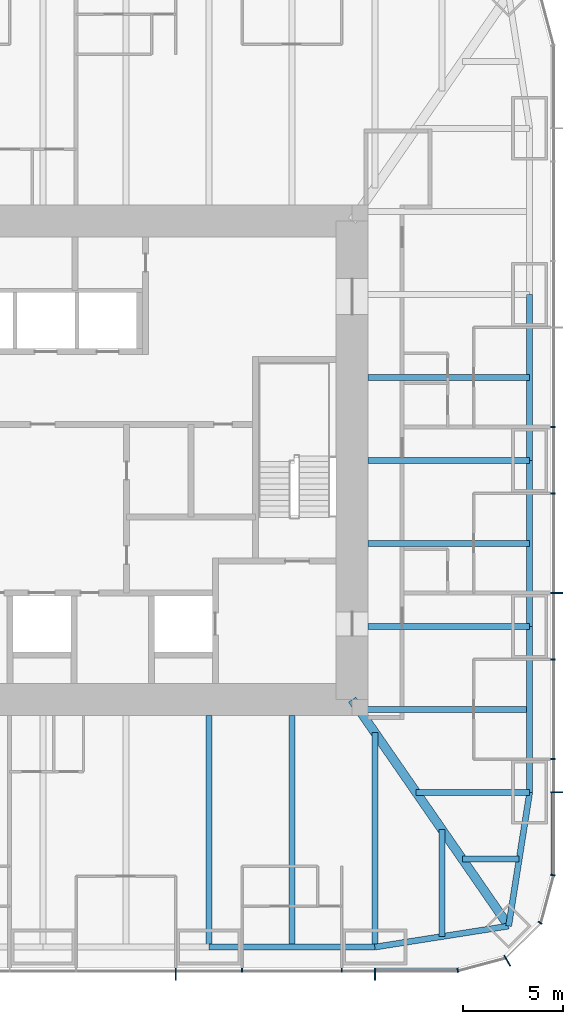
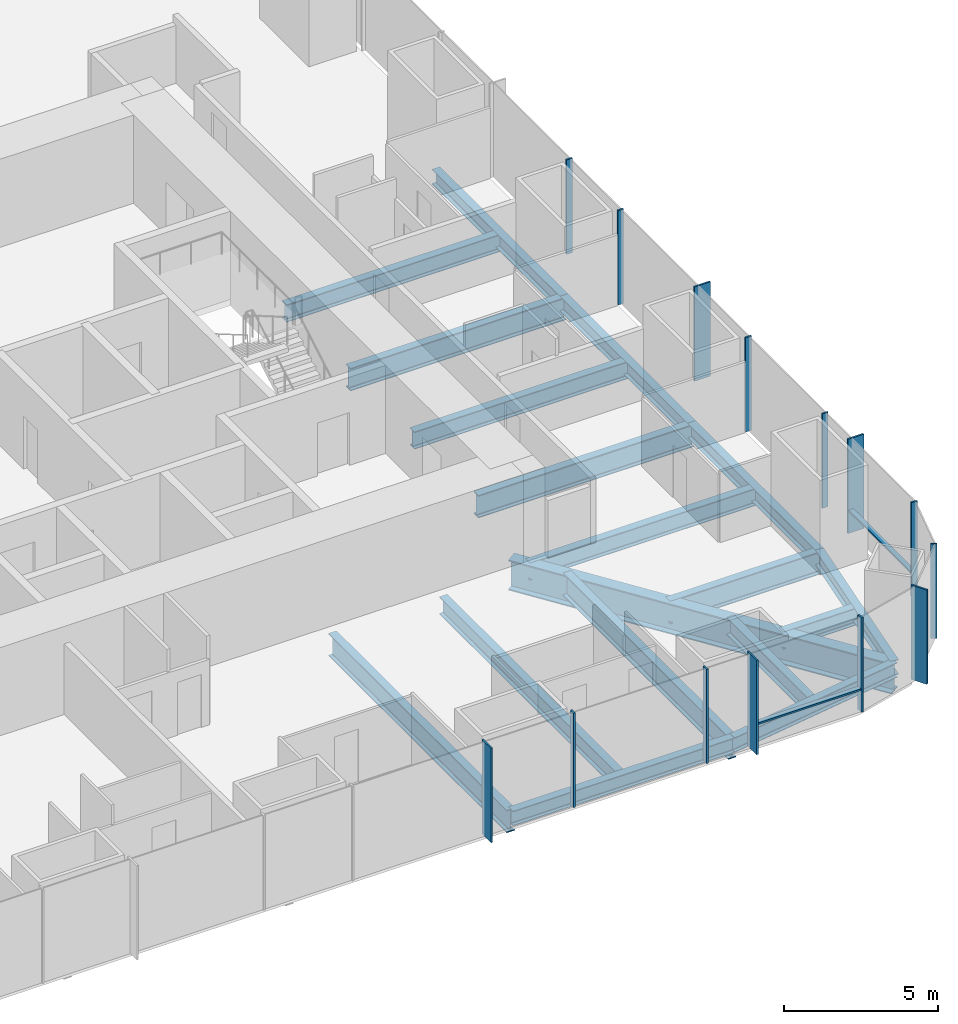
# One storey, part 4 of 13: 18 beams, 16 members, 3 elements without a shape of their own.
"""IFC4 building model written with IfcOpenShell, lengths in metres."""

from ifc_helpers import new_model, si_unit, direction, frame, origin, origin_2d, place, context, subcontext, project, spatial, rectangle, i_section, extrude, material, material_profile, profile_set, type_object, element, aggregate, save


model = new_model("IFC4")

# Units and contexts
model_context = context("Model", 3, precision=1e-05, world=origin(), true_north=direction((0.0, 1.0)))
body_context = subcontext(model_context, "Body", "Model", "MODEL_VIEW")
ifc_project = project(units=[si_unit("LENGTHUNIT", "METRE"), si_unit("AREAUNIT", "SQUARE_METRE"), si_unit("VOLUMEUNIT", "CUBIC_METRE"), si_unit("PLANEANGLEUNIT", "RADIAN"), si_unit("MASSUNIT", "GRAM", prefix="KILO")], contexts=[model_context])

# Site, building, storey
site_placement = place(None, origin())
site = spatial("IfcSite", under=ifc_project, at=site_placement, CompositionType="ELEMENT")
building_placement = place(site_placement, origin())
building = spatial("IfcBuilding", under=site, at=building_placement, Name="Khuree Lantern Residences", CompositionType="ELEMENT")
storey_placement = place(building_placement, frame((0.0, 0.0, 270.75)))
storey = spatial("IfcBuildingStorey", under=building, at=storey_placement, Name="L68", CompositionType="ELEMENT", Elevation=270.75)

# Beams
ifc_material_1 = material(Name="Steel S355", Category="steel")
ifc_material_profile_1 = material_profile(ifc_material_1, i_section(OverallWidth=0.300048828125, OverallDepth=0.68994140625, WebThickness=0.014404296875, FlangeThickness=0.027099609375, FilletRadius=0.027099609375, at=origin_2d()), Name="HE 700 A")
ifc_profile_set_1 = profile_set([ifc_material_profile_1], Name="Steel S355")
beam_type_1 = type_object("IfcBeamType", Name="B-35 SECONDARY BEAM HE 700 A", PredefinedType="BEAM", material=ifc_profile_set_1)
for number, where, z_axis, x_axis, name in (
    (1, (24.39990234375, 4.159912109375, -0.594970703125), (-1.0, 0.0, 0.0), (0.0, -1.0, 0.0), "Secondary beam E3"),
    (2, (24.39990234375, -4.159912109375, -0.594970703125), (-1.0, 0.0, 0.0), (0.0, -1.0, 0.0), "Secondary beam E4"),
):
    element("IfcBeam", number, at=place(storey_placement, frame(where, z_axis=z_axis, x_axis=x_axis)), inside=storey, type_object=beam_type_1, Name=name, PredefinedType="BEAM", context=body_context, shape_type="SweptSolid", body=[
        extrude(i_section(OverallWidth=0.300048828125, OverallDepth=0.68994140625, WebThickness=0.014404296875, FlangeThickness=0.027099609375, FilletRadius=0.027099609375, at=origin_2d()), origin(), (0.0, 0.0, 1.0), 8.099853515625),
    ])
beam_1_placement = place(storey_placement, frame((24.39990234375, -12.47998046875, -0.594970703125), z_axis=(-1.0, 0.0, 0.0), x_axis=(0.0, -1.0, 0.0)))
element("IfcBeam", 3, at=beam_1_placement, inside=storey, type_object=beam_type_1, Name="Secondary beam E5", PredefinedType="BEAM", context=body_context, shape_type="SweptSolid", body=[
    extrude(i_section(OverallWidth=0.300048828125, OverallDepth=0.68994140625, WebThickness=0.014404296875, FlangeThickness=0.027099609375, FilletRadius=0.027099609375, at=origin_2d()), origin(), (0.0, 0.0, 1.0), 8.56787109375),
])
beam_2_placement = place(storey_placement, frame((23.872802734375, -19.992919921875, -0.594970703125), z_axis=(-1.0, 0.0, 0.0), x_axis=(0.0, -1.0, 0.0)))
element("IfcBeam", 4, at=beam_2_placement, inside=storey, type_object=beam_type_1, Name="Secondary beam E6", PredefinedType="BEAM", context=body_context, shape_type="SweptSolid", body=[
    extrude(i_section(OverallWidth=0.300048828125, OverallDepth=0.68994140625, WebThickness=0.014404296875, FlangeThickness=0.027099609375, FilletRadius=0.027099609375, at=origin_2d()), origin(), (0.0, 0.0, 1.0), 2.845703125),
])
beam_3_placement = place(storey_placement, frame((19.992919921875, -23.872802734375, -0.594970703125), z_axis=(0.0, 1.0, 0.0), x_axis=(-1.0, 0.0, 0.0)))
element("IfcBeam", 5, at=beam_3_placement, inside=storey, type_object=beam_type_1, Name="Secondary beam S1", PredefinedType="BEAM", context=body_context, shape_type="SweptSolid", body=[
    extrude(i_section(OverallWidth=0.300048828125, OverallDepth=0.68994140625, WebThickness=0.014404296875, FlangeThickness=0.027099609375, FilletRadius=0.027099609375, at=origin_2d()), origin(), (0.0, 0.0, 1.0), 5.375732421875),
])
beam_4_placement = place(storey_placement, frame((12.47998046875, -24.39990234375, -0.594970703125), z_axis=(0.0, 1.0, 0.0), x_axis=(-1.0, 0.0, 0.0)))
element("IfcBeam", 6, at=beam_4_placement, inside=storey, type_object=beam_type_1, Name="Secondary beam S2", PredefinedType="BEAM", context=body_context, shape_type="SweptSolid", body=[
    extrude(i_section(OverallWidth=0.300048828125, OverallDepth=0.68994140625, WebThickness=0.014404296875, FlangeThickness=0.027099609375, FilletRadius=0.027099609375, at=origin_2d()), origin(), (0.0, 0.0, 1.0), 11.599853515625),
])
ifc_material_profile_2 = material_profile(ifc_material_1, i_section(OverallWidth=0.300048828125, OverallDepth=0.590087890625, WebThickness=0.012939453125, FlangeThickness=0.02490234375, FilletRadius=0.027099609375, at=origin_2d()), Name="HE 600 A")
ifc_profile_set_2 = profile_set([ifc_material_profile_2], Name="Steel S355")
beam_type_2 = type_object("IfcBeamType", Name="E-35 SPANDREL BEAM HE 600 A", PredefinedType="SPANDREL", material=ifc_profile_set_2)
for number, where, z_axis, x_axis, name in (
    (7, (24.39990234375, 8.320068359375, -0.544921875), (0.0, -1.0, 0.0), (1.0, 0.0, 0.0), "Spandrel beam E3"),
    (8, (24.39990234375, 0.0, -0.544921875), (0.0, -1.0, 0.0), (1.0, 0.0, 0.0), "Spandrel beam E4"),
):
    element("IfcBeam", number, at=place(storey_placement, frame(where, z_axis=z_axis, x_axis=x_axis)), inside=storey, type_object=beam_type_2, Name=name, PredefinedType="SPANDREL", context=body_context, shape_type="SweptSolid", body=[
        extrude(i_section(OverallWidth=0.300048828125, OverallDepth=0.590087890625, WebThickness=0.012939453125, FlangeThickness=0.02490234375, FilletRadius=0.027099609375, at=origin_2d()), origin(), (0.0, 0.0, 1.0), 8.320068359375),
    ])
beam_5_placement = place(storey_placement, frame((24.39990234375, -8.320068359375, -0.544921875), z_axis=(0.0, -1.0, 0.0), x_axis=(1.0, 0.0, 0.0)))
element("IfcBeam", 9, at=beam_5_placement, inside=storey, type_object=beam_type_2, Name="Spandrel beam E5", PredefinedType="SPANDREL", context=body_context, shape_type="SweptSolid", body=[
    extrude(i_section(OverallWidth=0.300048828125, OverallDepth=0.590087890625, WebThickness=0.012939453125, FlangeThickness=0.02490234375, FilletRadius=0.027099609375, at=origin_2d()), origin(), (0.0, 0.0, 1.0), 8.31982421875),
])
for number, where, z_axis, x_axis, name in (
    (10, (24.39990234375, -16.639892578125, -0.544921875), (-0.155299507442, -0.98786743189, 0.0), (0.98786743189, -0.155299507442, 0.0), "Spandrel beam E6"),
    (11, (23.345703125, -23.345703125, -0.544921875), (-0.98786743189, -0.155299507442, 0.0), (0.155299507442, -0.98786743189, 0.0), "Spandrel beam S1"),
):
    element("IfcBeam", number, at=place(storey_placement, frame(where, z_axis=z_axis, x_axis=x_axis)), inside=storey, type_object=beam_type_2, Name=name, PredefinedType="SPANDREL", context=body_context, shape_type="SweptSolid", body=[
        extrude(i_section(OverallWidth=0.300048828125, OverallDepth=0.590087890625, WebThickness=0.012939453125, FlangeThickness=0.02490234375, FilletRadius=0.027099609375, at=origin_2d()), origin(), (0.0, 0.0, 1.0), 6.7880859375),
    ])
beam_6_placement = place(storey_placement, frame((16.639892578125, -24.39990234375, -0.544921875), z_axis=(-1.0, 0.0, 0.0), x_axis=(0.0, -1.0, 0.0)))
element("IfcBeam", 12, at=beam_6_placement, inside=storey, type_object=beam_type_2, Name="Spandrel beam S2", PredefinedType="SPANDREL", context=body_context, shape_type="SweptSolid", body=[
    extrude(i_section(OverallWidth=0.300048828125, OverallDepth=0.590087890625, WebThickness=0.012939453125, FlangeThickness=0.02490234375, FilletRadius=0.027099609375, at=origin_2d()), origin(), (0.0, 0.0, 1.0), 8.31982421875),
])

# Curtain wall, member
ifc_material_2 = material(Name="Bronze anodised aluminium", Category="aluminium")
curtain_wall_type_1 = type_object("IfcCurtainWallType", Name="CW-T2 TOWER CORNER CURTAIN WALL", PredefinedType="USERDEFINED", material=ifc_material_2)
curtain_wall_1_placement = place(storey_placement, origin())
curtain_wall_1 = element("IfcCurtainWall", 13, at=curtain_wall_1_placement, inside=storey, type_object=curtain_wall_type_1, Name="L68 SOUTH-EAST CORNER CURTAIN WALL", ObjectType="Faceted corner curtain wall", PredefinedType="USERDEFINED")
ifc_material_profile_3 = material_profile(ifc_material_2, rectangle(XDim=0.06494140625, YDim=0.60009765625, at=origin_2d()), Name="F1 65X600")
ifc_profile_set_3 = profile_set([ifc_material_profile_3], Name="Bronze anodised aluminium")
member_type_1 = type_object("IfcMemberType", Name="F1 BRONZE FIN MULLION TOWER 65X600", PredefinedType="MULLION", material=ifc_profile_set_3)
member_1_placement = place(storey_placement, frame((23.27490234375, -25.0869140625, 0.0), z_axis=(0.0, 0.0, 1.0), x_axis=(0.866025409797, 0.499999989586, 0.0)))
member_1 = element("IfcMember", 14, at=member_1_placement, type_object=member_type_1, Name="L68 SOUTH-EAST CORNER FIN MULLION 2", PredefinedType="MULLION", context=body_context, shape_type="SweptSolid", body=[
    extrude(rectangle(XDim=0.06494140625, YDim=0.60009765625, at=origin_2d()), origin(), (0.0, 0.0, 1.0), 3.75),
])

# Curtain wall, members
curtain_wall_type_2 = type_object("IfcCurtainWallType", Name="CW-T1 TOWER FACE CURTAIN WALL", PredefinedType="USERDEFINED", material=ifc_material_2)
curtain_wall_2_placement = place(storey_placement, origin())
curtain_wall_2 = element("IfcCurtainWall", 15, at=curtain_wall_2_placement, inside=storey, type_object=curtain_wall_type_2, Name="L68 EAST FACE CURTAIN WALL", ObjectType="Stick-built curtain wall", PredefinedType="USERDEFINED")
member_2_placement = place(storey_placement, frame((25.75, -16.639892578125, 0.0), z_axis=(0.0, 0.0, 1.0), x_axis=(0.0, 1.0, 0.0)))
member_2 = element("IfcMember", 16, at=member_2_placement, type_object=member_type_1, Name="L68 EAST FACE FIN MULLION 5", PredefinedType="MULLION", context=body_context, shape_type="SweptSolid", body=[
    extrude(rectangle(XDim=0.06494140625, YDim=0.60009765625, at=origin_2d()), origin(), (0.0, 0.0, 1.0), 3.75),
])
member_3_placement = place(storey_placement, frame((25.75, -6.656005859375, 0.0), z_axis=(0.0, 0.0, 1.0), x_axis=(0.0, 1.0, 0.0)))
member_3 = element("IfcMember", 17, at=member_3_placement, type_object=member_type_1, Name="L68 EAST FACE FIN MULLION 8", PredefinedType="MULLION", context=body_context, shape_type="SweptSolid", body=[
    extrude(rectangle(XDim=0.06494140625, YDim=0.60009765625, at=origin_2d()), origin(), (0.0, 0.0, 1.0), 3.75),
])

curtain_wall_3_placement = place(storey_placement, origin())
curtain_wall_3 = element("IfcCurtainWall", 18, at=curtain_wall_3_placement, inside=storey, type_object=curtain_wall_type_2, Name="L68 SOUTH FACE CURTAIN WALL", ObjectType="Stick-built curtain wall", PredefinedType="USERDEFINED")
member_4_placement = place(storey_placement, frame((6.656005859375, -25.75, 0.0), z_axis=(0.0, 0.0, 1.0), x_axis=(1.0, 0.0, 0.0)))
member_4 = element("IfcMember", 19, at=member_4_placement, type_object=member_type_1, Name="L68 SOUTH FACE FIN MULLION 53", PredefinedType="MULLION", context=body_context, shape_type="SweptSolid", body=[
    extrude(rectangle(XDim=0.06494140625, YDim=0.60009765625, at=origin_2d()), origin(), (0.0, 0.0, 1.0), 3.75),
])
member_5_placement = place(storey_placement, frame((16.639892578125, -25.75, 0.0), z_axis=(0.0, 0.0, 1.0), x_axis=(1.0, 0.0, 0.0)))
member_5 = element("IfcMember", 20, at=member_5_placement, type_object=member_type_1, Name="L68 SOUTH FACE FIN MULLION 56", PredefinedType="MULLION", context=body_context, shape_type="SweptSolid", body=[
    extrude(rectangle(XDim=0.06494140625, YDim=0.60009765625, at=origin_2d()), origin(), (0.0, 0.0, 1.0), 3.75),
])

# Beams
ifc_material_profile_4 = material_profile(ifc_material_1, i_section(OverallWidth=0.300048828125, OverallDepth=0.89990234375, WebThickness=0.0185546875, FlangeThickness=0.034912109375, FilletRadius=0.030029296875, at=origin_2d()), Name="HE 900 B")
ifc_profile_set_4 = profile_set([ifc_material_profile_4], Name="Steel S355")
beam_type_3 = type_object("IfcBeamType", Name="G-35 GIRDER HE 900 B", PredefinedType="BEAM", material=ifc_profile_set_4)
for number, where, z_axis, x_axis, name in (
    (21, (24.39990234375, 0.0, -0.699951171875), (-1.0, 0.0, 0.0), (0.0, -1.0, 0.0), "Girder E3"),
    (22, (24.39990234375, -8.320068359375, -0.699951171875), (-1.0, 0.0, 0.0), (0.0, -1.0, 0.0), "Girder E4"),
):
    element("IfcBeam", number, at=place(storey_placement, frame(where, z_axis=z_axis, x_axis=x_axis)), inside=storey, type_object=beam_type_3, Name=name, PredefinedType="BEAM", context=body_context, shape_type="SweptSolid", body=[
        extrude(i_section(OverallWidth=0.300048828125, OverallDepth=0.89990234375, WebThickness=0.0185546875, FlangeThickness=0.034912109375, FilletRadius=0.030029296875, at=origin_2d()), origin(), (0.0, 0.0, 1.0), 8.099853515625),
    ])
beam_7_placement = place(storey_placement, frame((24.39990234375, -16.639892578125, -0.699951171875), z_axis=(-1.0, 0.0, 0.0), x_axis=(0.0, -1.0, 0.0)))
element("IfcBeam", 23, at=beam_7_placement, inside=storey, type_object=beam_type_3, Name="Girder E5", PredefinedType="BEAM", context=body_context, shape_type="SweptSolid", body=[
    extrude(i_section(OverallWidth=0.300048828125, OverallDepth=0.89990234375, WebThickness=0.0185546875, FlangeThickness=0.034912109375, FilletRadius=0.030029296875, at=origin_2d()), origin(), (0.0, 0.0, 1.0), 5.69140625),
])
beam_8_placement = place(storey_placement, frame((16.639892578125, -24.39990234375, -0.699951171875), z_axis=(0.0, 1.0, 0.0), x_axis=(-1.0, 0.0, 0.0)))
element("IfcBeam", 24, at=beam_8_placement, inside=storey, type_object=beam_type_3, Name="Girder S1", PredefinedType="BEAM", context=body_context, shape_type="SweptSolid", body=[
    extrude(i_section(OverallWidth=0.300048828125, OverallDepth=0.89990234375, WebThickness=0.0185546875, FlangeThickness=0.034912109375, FilletRadius=0.030029296875, at=origin_2d()), origin(), (0.0, 0.0, 1.0), 10.751220703125),
])
beam_9_placement = place(storey_placement, frame((8.320068359375, -24.39990234375, -0.699951171875), z_axis=(0.0, 1.0, 0.0), x_axis=(-1.0, 0.0, 0.0)))
element("IfcBeam", 25, at=beam_9_placement, inside=storey, type_object=beam_type_3, Name="Girder S2", PredefinedType="BEAM", context=body_context, shape_type="SweptSolid", body=[
    extrude(i_section(OverallWidth=0.300048828125, OverallDepth=0.89990234375, WebThickness=0.0185546875, FlangeThickness=0.034912109375, FilletRadius=0.030029296875, at=origin_2d()), origin(), (0.0, 0.0, 1.0), 11.599853515625),
])
ifc_material_profile_5 = material_profile(ifc_material_1, i_section(OverallWidth=0.449951171875, OverallDepth=1.199951171875, WebThickness=0.02490234375, FlangeThickness=0.044921875, at=origin_2d()), Name="WELDED I 1200X450X25X45")
ifc_profile_set_5 = profile_set([ifc_material_profile_5], Name="Steel S355")
beam_type_4 = type_object("IfcBeamType", Name="GD-35 CORNER GIRDER WELDED I 1200X450X25X45", PredefinedType="BEAM", material=ifc_profile_set_5)
beam_10_placement = place(storey_placement, frame((23.345703125, -23.345703125, -0.85009765625), z_axis=(-0.56876813501, 0.822497907959, 0.0), x_axis=(-0.822497907959, -0.56876813501, 0.0)))
element("IfcBeam", 26, at=beam_10_placement, inside=storey, type_object=beam_type_4, Name="Corner girder SE", PredefinedType="BEAM", context=body_context, shape_type="SweptSolid", body=[
    extrude(i_section(OverallWidth=0.449951171875, OverallDepth=1.199951171875, WebThickness=0.02490234375, FlangeThickness=0.044921875, at=origin_2d()), origin(), (0.0, 0.0, 1.0), 13.794189453125),
])

# Member
ifc_material_profile_6 = material_profile(ifc_material_2, rectangle(XDim=0.06494140625, YDim=0.219970703125, at=origin_2d()), Name="M1 65X220")
ifc_profile_set_6 = profile_set([ifc_material_profile_6], Name="Bronze anodised aluminium")
member_type_2 = type_object("IfcMemberType", Name="M1 BRONZE MULLION TOWER 65X220", PredefinedType="MULLION", material=ifc_profile_set_6)
member_6_placement = place(storey_placement, frame((20.794921875, -25.561767578125, 0.0), z_axis=(0.0, 0.0, 1.0), x_axis=(0.991444862943, 0.130526180298, 0.0)))
member_6 = element("IfcMember", 27, at=member_6_placement, type_object=member_type_2, Name="L68 SOUTH-EAST CORNER MULLION 1", PredefinedType="MULLION", context=body_context, shape_type="SweptSolid", body=[
    extrude(rectangle(XDim=0.06494140625, YDim=0.219970703125, at=origin_2d()), origin(), (0.0, 0.0, 1.0), 3.75),
])

member_7_placement = place(storey_placement, frame((24.92236328125, -23.179931640625, 0.0), z_axis=(0.0, 0.0, 1.0), x_axis=(0.499999989586, 0.866025409797, 0.0)))
member_7 = element("IfcMember", 28, at=member_7_placement, type_object=member_type_2, Name="L68 SOUTH-EAST CORNER MULLION 3", PredefinedType="MULLION", context=body_context, shape_type="SweptSolid", body=[
    extrude(rectangle(XDim=0.06494140625, YDim=0.219970703125, at=origin_2d()), origin(), (0.0, 0.0, 1.0), 3.75),
])

aggregate(curtain_wall_1, [member_6, member_1, member_7])

member_8_placement = place(storey_placement, frame((25.561767578125, -20.794921875, 0.0), z_axis=(0.0, 0.0, 1.0), x_axis=(0.130526180298, 0.991444862943, 0.0)))
member_8 = element("IfcMember", 29, at=member_8_placement, type_object=member_type_2, Name="L68 EAST FACE MULLION 4", PredefinedType="MULLION", context=body_context, shape_type="SweptSolid", body=[
    extrude(rectangle(XDim=0.06494140625, YDim=0.219970703125, at=origin_2d()), origin(), (0.0, 0.0, 1.0), 3.75),
])

member_9_placement = place(storey_placement, frame((25.56005859375, -14.97607421875, 0.0), z_axis=(0.0, 0.0, 1.0), x_axis=(0.0, 1.0, 0.0)))
member_9 = element("IfcMember", 30, at=member_9_placement, type_object=member_type_2, Name="L68 EAST FACE MULLION 6", PredefinedType="MULLION", context=body_context, shape_type="SweptSolid", body=[
    extrude(rectangle(XDim=0.06494140625, YDim=0.219970703125, at=origin_2d()), origin(), (0.0, 0.0, 1.0), 3.75),
])

member_10_placement = place(storey_placement, frame((25.56005859375, -9.98388671875, 0.0), z_axis=(0.0, 0.0, 1.0), x_axis=(0.0, 1.0, 0.0)))
member_10 = element("IfcMember", 31, at=member_10_placement, type_object=member_type_2, Name="L68 EAST FACE MULLION 7", PredefinedType="MULLION", context=body_context, shape_type="SweptSolid", body=[
    extrude(rectangle(XDim=0.06494140625, YDim=0.219970703125, at=origin_2d()), origin(), (0.0, 0.0, 1.0), 3.75),
])

member_11_placement = place(storey_placement, frame((25.56005859375, -1.6640625, 0.0), z_axis=(0.0, 0.0, 1.0), x_axis=(0.0, 1.0, 0.0)))
member_11 = element("IfcMember", 32, at=member_11_placement, type_object=member_type_2, Name="L68 EAST FACE MULLION 9", PredefinedType="MULLION", context=body_context, shape_type="SweptSolid", body=[
    extrude(rectangle(XDim=0.06494140625, YDim=0.219970703125, at=origin_2d()), origin(), (0.0, 0.0, 1.0), 3.75),
])

member_12_placement = place(storey_placement, frame((25.56005859375, 1.6640625, 0.0), z_axis=(0.0, 0.0, 1.0), x_axis=(0.0, 1.0, 0.0)))
member_12 = element("IfcMember", 33, at=member_12_placement, type_object=member_type_2, Name="L68 EAST FACE MULLION 10", PredefinedType="MULLION", context=body_context, shape_type="SweptSolid", body=[
    extrude(rectangle(XDim=0.06494140625, YDim=0.219970703125, at=origin_2d()), origin(), (0.0, 0.0, 1.0), 3.75),
])

member_13_placement = place(storey_placement, frame((9.98388671875, -25.56005859375, 0.0), z_axis=(0.0, 0.0, 1.0), x_axis=(1.0, 0.0, 0.0)))
member_13 = element("IfcMember", 34, at=member_13_placement, type_object=member_type_2, Name="L68 SOUTH FACE MULLION 54", PredefinedType="MULLION", context=body_context, shape_type="SweptSolid", body=[
    extrude(rectangle(XDim=0.06494140625, YDim=0.219970703125, at=origin_2d()), origin(), (0.0, 0.0, 1.0), 3.75),
])

member_14_placement = place(storey_placement, frame((14.97607421875, -25.56005859375, 0.0), z_axis=(0.0, 0.0, 1.0), x_axis=(1.0, 0.0, 0.0)))
member_14 = element("IfcMember", 35, at=member_14_placement, type_object=member_type_2, Name="L68 SOUTH FACE MULLION 55", PredefinedType="MULLION", context=body_context, shape_type="SweptSolid", body=[
    extrude(rectangle(XDim=0.06494140625, YDim=0.219970703125, at=origin_2d()), origin(), (0.0, 0.0, 1.0), 3.75),
])

ifc_material_profile_7 = material_profile(ifc_material_2, rectangle(XDim=0.179931640625, YDim=0.06494140625, at=origin_2d()), Name="T1 180X65")
ifc_profile_set_7 = profile_set([ifc_material_profile_7], Name="Bronze anodised aluminium")
member_type_3 = type_object("IfcMemberType", Name="TRANSOM T1 TOWER 180X65", PredefinedType="USERDEFINED", material=ifc_profile_set_7)
member_15_placement = place(storey_placement, frame((25.570068359375, -20.75146484375, 0.89990234375), z_axis=(0.0, 1.0, 0.0), x_axis=(-1.0, 0.0, 0.0)))
member_15 = element("IfcMember", 36, at=member_15_placement, type_object=member_type_3, Name="L68 EAST FACE TRANSOM 4.1", ObjectType="Transom", PredefinedType="USERDEFINED", context=body_context, shape_type="SweptSolid", body=[
    extrude(rectangle(XDim=0.179931640625, YDim=0.06494140625, at=origin_2d()), origin(), (0.0, 0.0, 1.0), 4.078857421875),
])

aggregate(curtain_wall_2, [member_8, member_2, member_9, member_10, member_3, member_11, member_12, member_15])

member_16_placement = place(storey_placement, frame((16.672607421875, -25.570068359375, 0.89990234375), z_axis=(1.0, 0.0, 0.0), x_axis=(0.0, 1.0, 0.0)))
member_16 = element("IfcMember", 37, at=member_16_placement, type_object=member_type_3, Name="L68 SOUTH FACE TRANSOM 56.1", ObjectType="Transom", PredefinedType="USERDEFINED", context=body_context, shape_type="SweptSolid", body=[
    extrude(rectangle(XDim=0.179931640625, YDim=0.06494140625, at=origin_2d()), origin(), (0.0, 0.0, 1.0), 4.078857421875),
])

aggregate(curtain_wall_3, [member_4, member_13, member_14, member_5, member_16])

save(model, "model.ifc")
